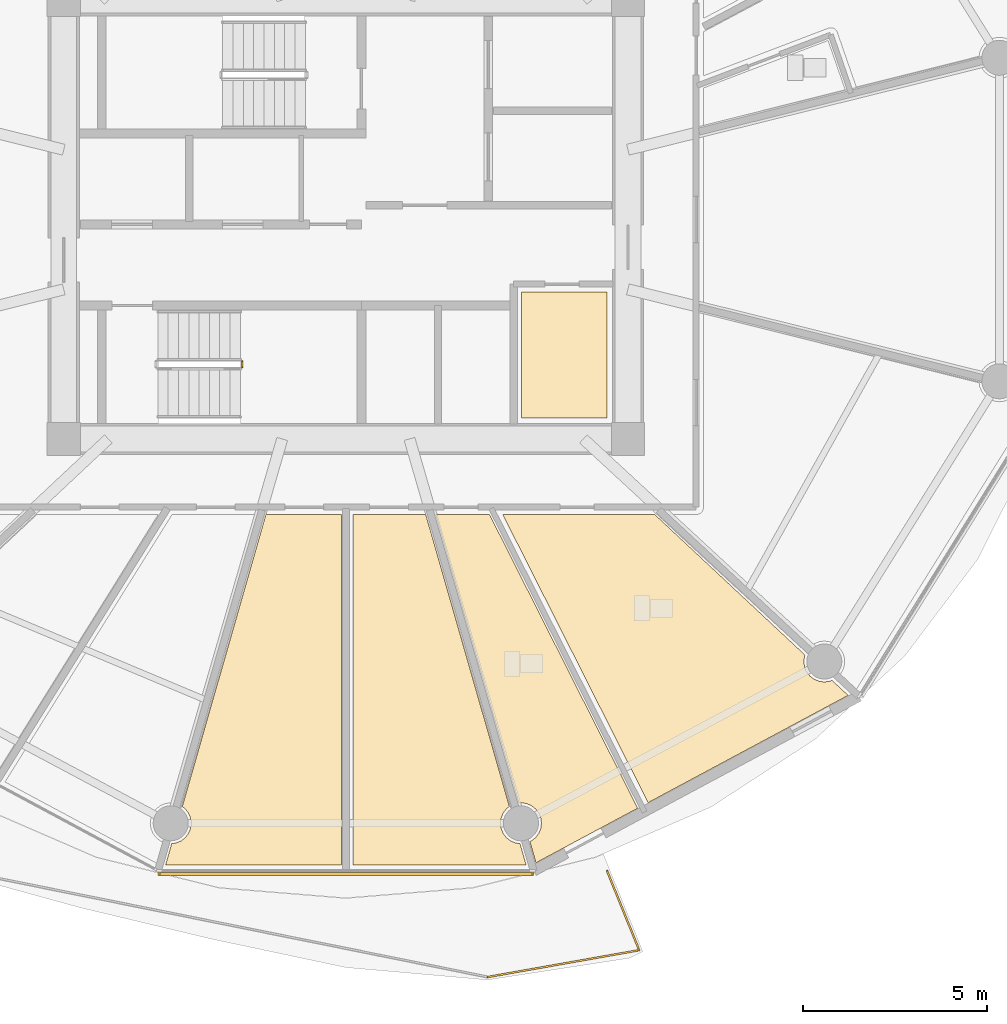
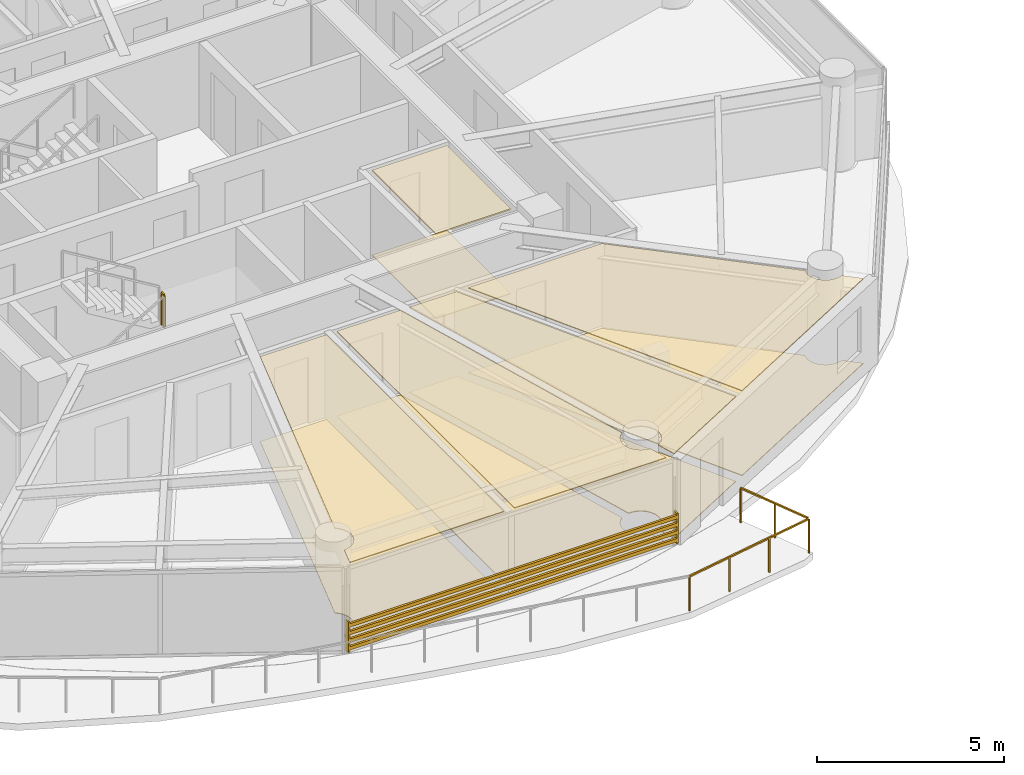
# One storey, part 23 of 31: 10 coverings, 2 railings, 1 shading device.
"""IFC4 building model written with IfcOpenShell, lengths in metres."""

from ifc_helpers import new_model, si_unit, direction, frame, origin, origin_2d, place, context, subcontext, project, spatial, polyline, rectangle, outline, extrude, source, transform, mapped, material, layer, layer_set, type_object, type_shapes, element, save


model = new_model("IFC4")

# Units and contexts
model_context = context("Model", 3, precision=1e-05, world=origin(), true_north=direction((0.0, 1.0)))
body_context = subcontext(model_context, "Body", "Model", "MODEL_VIEW")
ifc_project = project(units=[si_unit("LENGTHUNIT", "METRE"), si_unit("AREAUNIT", "SQUARE_METRE"), si_unit("VOLUMEUNIT", "CUBIC_METRE"), si_unit("PLANEANGLEUNIT", "RADIAN"), si_unit("MASSUNIT", "GRAM", prefix="KILO")], contexts=[model_context])

# Site, building, storey
site_placement = place(None, origin())
site = spatial("IfcSite", under=ifc_project, at=site_placement, CompositionType="ELEMENT")
building_placement = place(site_placement, origin())
building = spatial("IfcBuilding", under=site, at=building_placement, Name="Norrkilde Senior Care Towers", CompositionType="ELEMENT")
storey_placement = place(building_placement, frame((0.0, 0.0, 42.949951171875)))
storey = spatial("IfcBuildingStorey", under=building, at=storey_placement, Name="L12", CompositionType="ELEMENT", Elevation=42.949951171875)

# Covering
ifc_material_1 = material(Name="Nordic Ash Timber", Category="wood")
ifc_layer_1 = layer(ifc_material_1, 0.044921875)
ifc_layer_set_1 = layer_set([ifc_layer_1], Name="Nordic Ash Timber")
covering_type_1 = type_object("IfcCoveringType", Name="Acoustic Ash Timber Slatted Ceiling 45", PredefinedType="CEILING", material=ifc_layer_set_1)
covering_1_placement = place(storey_placement, frame((0.0, 0.0, 2.7451171875)))
element("IfcCovering", 1, at=covering_1_placement, inside=storey, type_object=covering_type_1, Name="L12 Suspended Ceiling 0161", PredefinedType="CEILING", context=body_context, shape_type="SweptSolid", body=[
    extrude(outline(polyline([(-20.919921875, -5.3798828125), (-23.22998046875, -5.3798828125), (-23.22998046875, -1.969970703125), (-20.919921875, -1.969970703125), (-20.919921875, -5.3798828125)])), origin(), (0.0, 0.0, 1.0), 0.044921875),
])

# Railing
ifc_material_2 = material(Name="Anodised Aluminium", Category="aluminium")
railing_type_1 = type_object("IfcRailingType", Name="Balcony Swirl Ribbon Guardrail 1150", PredefinedType="GUARDRAIL", material=ifc_material_2)
railing_1_placement = place(storey_placement, frame((-20.915283203125, -17.667236328125, 0.0)))
element("IfcRailing", 2, at=railing_1_placement, inside=storey, type_object=railing_type_1, Name="L12 Perimeter Safety Guard 04", PredefinedType="GUARDRAIL", context=body_context, shape_type="SweptSolid", body=[
    extrude(rectangle(XDim=0.048095703125, YDim=0.048095703125, at=origin_2d()), frame((0.0, 0.0, 1.1259765625), z_axis=(0.376054829039, -0.92659741288, 0.0), x_axis=(0.92659741288, 0.376054829039, 0.0)), (0.0, 0.0, 1.0), 2.276123046875),
    extrude(rectangle(XDim=0.048095703125, YDim=0.048095703125, at=origin_2d()), frame((0.8310546875, -2.154052734375, 1.1259765625), z_axis=(-0.984673848833, -0.174405881279, 0.0), x_axis=(0.174405881279, -0.984673848833, 0.0)), (0.0, 0.0, 1.0), 4.133544921875),
    extrude(rectangle(XDim=0.0419921875, YDim=0.0419921875, at=origin_2d()), origin(), (0.0, 0.0, 1.0), 1.099853515625),
    extrude(rectangle(XDim=0.0419921875, YDim=0.0419921875, at=origin_2d()), frame((0.435546875, -1.073486328125, 0.0)), (0.0, 0.0, 1.0), 1.099853515625),
    extrude(rectangle(XDim=0.0419921875, YDim=0.0419921875, at=origin_2d()), frame((0.871337890625, -2.14697265625, 0.0)), (0.0, 0.0, 1.0), 1.099853515625),
    extrude(rectangle(XDim=0.0419921875, YDim=0.0419921875, at=origin_2d()), frame((-0.498779296875, -2.3896484375, 0.0)), (0.0, 0.0, 1.0), 1.099853515625),
    extrude(rectangle(XDim=0.0419921875, YDim=0.0419921875, at=origin_2d()), frame((-1.868896484375, -2.63232421875, 0.0)), (0.0, 0.0, 1.0), 1.099853515625),
    extrude(rectangle(XDim=0.0419921875, YDim=0.0419921875, at=origin_2d()), frame((-3.239013671875, -2.875, 0.0)), (0.0, 0.0, 1.0), 1.099853515625),
])

# Coverings
ifc_material_3 = material(Name="Gypsum Acoustic Board")
ifc_layer_2 = layer(ifc_material_3, 0.030029296875)
ifc_layer_set_2 = layer_set([ifc_layer_2], Name="Gypsum Acoustic Board")
covering_type_2 = type_object("IfcCoveringType", Name="Medical Cleanable Gypsum Ceiling 30", PredefinedType="CEILING", material=ifc_layer_set_2)
covering_2_placement = place(storey_placement, frame((0.0, 0.0, 2.760009765625)))
element("IfcCovering", 3, at=covering_2_placement, inside=storey, type_object=covering_type_2, Name="L12 Suspended Ceiling 0174", PredefinedType="CEILING", context=body_context, shape_type="SweptSolid", body=[
    extrude(outline(polyline([(-32.7236328125, -16.924072265625), (-32.605712890625, -16.908447265625), (-32.471923828125, -16.85302734375), (-32.35693359375, -16.764892578125), (-32.268798828125, -16.64990234375), (-32.213134765625, -16.51611328125), (-32.1943359375, -16.37255859375), (-32.213134765625, -16.228759765625), (-32.268798828125, -16.094970703125), (-32.35693359375, -15.97998046875), (-32.435791015625, -15.91943359375), (-30.1669921875, -8.0), (-28.1201171875, -8.0), (-28.1201171875, -17.49853515625), (-32.88818359375, -17.49853515625), (-32.7236328125, -16.924072265625)])), origin(), (0.0, 0.0, 1.0), 0.030029296875),
])
covering_3_placement = place(storey_placement, frame((0.0, 0.0, 2.760009765625)))
element("IfcCovering", 4, at=covering_3_placement, inside=storey, type_object=covering_type_2, Name="L12 Suspended Ceiling 0175", PredefinedType="CEILING", context=body_context, shape_type="SweptSolid", body=[
    extrude(outline(polyline([(-27.800048828125, -17.49853515625), (-27.800048828125, -8.0), (-25.8330078125, -8.0), (-23.564208984375, -15.91943359375), (-23.64306640625, -15.97998046875), (-23.731201171875, -16.094970703125), (-23.786865234375, -16.228759765625), (-23.8056640625, -16.37255859375), (-23.786865234375, -16.51611328125), (-23.731201171875, -16.64990234375), (-23.64306640625, -16.764892578125), (-23.528076171875, -16.85302734375), (-23.394287109375, -16.908447265625), (-23.2763671875, -16.924072265625), (-23.11181640625, -17.49853515625), (-27.800048828125, -17.49853515625)])), origin(), (0.0, 0.0, 1.0), 0.030029296875),
])
covering_4_placement = place(storey_placement, frame((0.0, 0.0, 2.760009765625)))
element("IfcCovering", 5, at=covering_4_placement, inside=storey, type_object=covering_type_2, Name="L12 Suspended Ceiling 0176", PredefinedType="CEILING", context=body_context, shape_type="SweptSolid", body=[
    extrude(outline(polyline([(-23.008544921875, -16.86767578125), (-22.97314453125, -16.85302734375), (-22.858154296875, -16.764892578125), (-22.77001953125, -16.64990234375), (-22.714599609375, -16.51611328125), (-22.695556640625, -16.37255859375), (-22.714599609375, -16.228759765625), (-22.77001953125, -16.094970703125), (-22.858154296875, -15.97998046875), (-22.97314453125, -15.891845703125), (-23.10693359375, -15.83642578125), (-23.250732421875, -15.8173828125), (-23.309326171875, -15.8251953125), (-25.567626953125, -8.0), (-24.102783203125, -8.0), (-20.084716796875, -15.9638671875), (-22.8427734375, -17.442626953125), (-23.008544921875, -16.86767578125)])), origin(), (0.0, 0.0, 1.0), 0.030029296875),
])
covering_5_placement = place(storey_placement, frame((0.0, 0.0, 2.760009765625)))
element("IfcCovering", 6, at=covering_5_placement, inside=storey, type_object=covering_type_2, Name="L12 Suspended Ceiling 0177", PredefinedType="CEILING", context=body_context, shape_type="SweptSolid", body=[
    extrude(outline(polyline([(-19.802490234375, -15.8125), (-23.744384765625, -8.0), (-19.622314453125, -8.0), (-15.5478515625, -11.810791015625), (-15.560791015625, -11.841796875), (-15.57958984375, -11.9853515625), (-15.560791015625, -12.129150390625), (-15.505126953125, -12.262939453125), (-15.4169921875, -12.3779296875), (-15.302001953125, -12.466064453125), (-15.168212890625, -12.521484375), (-15.024658203125, -12.54052734375), (-14.880859375, -12.521484375), (-14.816650390625, -12.494873046875), (-14.37890625, -12.904296875), (-19.802490234375, -15.8125)])), origin(), (0.0, 0.0, 1.0), 0.030029296875),
])
ifc_material_4 = material(Name="Slip-Resistant Porcelain Stone", Category="masonry")
ifc_layer_3 = layer(ifc_material_4, 0.02490234375)
ifc_layer_set_3 = layer_set([ifc_layer_3], Name="Slip-Resistant Porcelain Stone")
covering_type_3 = type_object("IfcCoveringType", Name="Slip-Resistant Porcelain Flooring 25", PredefinedType="FLOORING", material=ifc_layer_set_3)
covering_6_placement = place(storey_placement, origin())
element("IfcCovering", 7, at=covering_6_placement, inside=storey, type_object=covering_type_3, Name="L12 Floor Finish 0161", PredefinedType="FLOORING", context=body_context, shape_type="SweptSolid", body=[
    extrude(outline(polyline([(-20.919921875, -5.3798828125), (-23.22998046875, -5.3798828125), (-23.22998046875, -1.969970703125), (-20.919921875, -1.969970703125), (-20.919921875, -5.3798828125)])), origin(), (0.0, 0.0, 1.0), 0.025146484375),
])
covering_7_placement = place(storey_placement, origin())
element("IfcCovering", 8, at=covering_7_placement, inside=storey, type_object=covering_type_3, Name="L12 Floor Finish 0174", PredefinedType="FLOORING", context=body_context, shape_type="SweptSolid", body=[
    extrude(outline(polyline([(-32.7236328125, -16.924072265625), (-32.605712890625, -16.908447265625), (-32.471923828125, -16.85302734375), (-32.35693359375, -16.764892578125), (-32.268798828125, -16.64990234375), (-32.213134765625, -16.51611328125), (-32.1943359375, -16.37255859375), (-32.213134765625, -16.228759765625), (-32.268798828125, -16.094970703125), (-32.35693359375, -15.97998046875), (-32.435791015625, -15.91943359375), (-30.1669921875, -8.0), (-28.1201171875, -8.0), (-28.1201171875, -17.49853515625), (-32.88818359375, -17.49853515625), (-32.7236328125, -16.924072265625)])), origin(), (0.0, 0.0, 1.0), 0.025146484375),
])
covering_8_placement = place(storey_placement, origin())
element("IfcCovering", 9, at=covering_8_placement, inside=storey, type_object=covering_type_3, Name="L12 Floor Finish 0175", PredefinedType="FLOORING", context=body_context, shape_type="SweptSolid", body=[
    extrude(outline(polyline([(-27.800048828125, -17.49853515625), (-27.800048828125, -8.0), (-25.8330078125, -8.0), (-23.564208984375, -15.91943359375), (-23.64306640625, -15.97998046875), (-23.731201171875, -16.094970703125), (-23.786865234375, -16.228759765625), (-23.8056640625, -16.37255859375), (-23.786865234375, -16.51611328125), (-23.731201171875, -16.64990234375), (-23.64306640625, -16.764892578125), (-23.528076171875, -16.85302734375), (-23.394287109375, -16.908447265625), (-23.2763671875, -16.924072265625), (-23.11181640625, -17.49853515625), (-27.800048828125, -17.49853515625)])), origin(), (0.0, 0.0, 1.0), 0.025146484375),
])
covering_9_placement = place(storey_placement, origin())
element("IfcCovering", 10, at=covering_9_placement, inside=storey, type_object=covering_type_3, Name="L12 Floor Finish 0176", PredefinedType="FLOORING", context=body_context, shape_type="SweptSolid", body=[
    extrude(outline(polyline([(-23.008544921875, -16.86767578125), (-22.97314453125, -16.85302734375), (-22.858154296875, -16.764892578125), (-22.77001953125, -16.64990234375), (-22.714599609375, -16.51611328125), (-22.695556640625, -16.37255859375), (-22.714599609375, -16.228759765625), (-22.77001953125, -16.094970703125), (-22.858154296875, -15.97998046875), (-22.97314453125, -15.891845703125), (-23.10693359375, -15.83642578125), (-23.250732421875, -15.8173828125), (-23.309326171875, -15.8251953125), (-25.567626953125, -8.0), (-24.102783203125, -8.0), (-20.084716796875, -15.9638671875), (-22.8427734375, -17.442626953125), (-23.008544921875, -16.86767578125)])), origin(), (0.0, 0.0, 1.0), 0.025146484375),
])
covering_10_placement = place(storey_placement, origin())
element("IfcCovering", 11, at=covering_10_placement, inside=storey, type_object=covering_type_3, Name="L12 Floor Finish 0177", PredefinedType="FLOORING", context=body_context, shape_type="SweptSolid", body=[
    extrude(outline(polyline([(-19.802490234375, -15.8125), (-23.744384765625, -8.0), (-19.622314453125, -8.0), (-15.5478515625, -11.810791015625), (-15.560791015625, -11.841796875), (-15.57958984375, -11.9853515625), (-15.560791015625, -12.129150390625), (-15.505126953125, -12.262939453125), (-15.4169921875, -12.3779296875), (-15.302001953125, -12.466064453125), (-15.168212890625, -12.521484375), (-15.024658203125, -12.54052734375), (-14.880859375, -12.521484375), (-14.816650390625, -12.494873046875), (-14.37890625, -12.904296875), (-19.802490234375, -15.8125)])), origin(), (0.0, 0.0, 1.0), 0.025146484375),
])

# Railing
ifc_material_5 = material(Name="Stainless Steel", Category="steel")
railing_type_2 = type_object("IfcRailingType", Name="Stair and Terrace Guardrail 1100", PredefinedType="GUARDRAIL", material=ifc_material_5)
railing_2_placement = place(storey_placement, frame((-30.81005859375, -4.0, 1.525146484375)))
element("IfcRailing", 12, at=railing_2_placement, inside=storey, type_object=railing_type_2, Name="L12 ST-W2 stair guard 2", PredefinedType="GUARDRAIL", context=body_context, shape_type="SweptSolid", body=[
    extrude(rectangle(XDim=0.048095703125, YDim=0.048095703125, at=origin_2d()), frame((0.0, 0.0, 1.076171875), z_axis=(0.0, 1.0, 0.0), x_axis=(-1.0, 0.0, 0.0)), (0.0, 0.0, 1.0), 0.14990234375),
    extrude(rectangle(XDim=0.0419921875, YDim=0.0419921875, at=origin_2d()), origin(), (0.0, 0.0, 1.0), 1.050048828125),
    extrude(rectangle(XDim=0.0419921875, YDim=0.0419921875, at=origin_2d()), frame((0.0, 0.14990234375, 0.0)), (0.0, 0.0, 1.0), 1.050048828125),
])

# Shading device
ifc_material_6 = material(Name="Architectural Terracotta", Category="masonry")
shading_device_type = type_object("IfcShadingDeviceType", Name="Horizontal Terracotta Baguette Rack", PredefinedType="USERDEFINED", material=ifc_material_6)
shared_shape = source(origin(), body_context, "Body", "SweptSolid", [
    extrude(rectangle(XDim=0.070068359375, YDim=0.110107421875, at=origin_2d()), frame((0.0, 0.090087890625, 0.125), z_axis=(1.0, 0.0, 0.0), x_axis=(0.0, 1.0, 0.0)), (0.0, 0.0, 1.0), 10.18701171875),
    extrude(rectangle(XDim=0.070068359375, YDim=0.110107421875, at=origin_2d()), frame((0.0, 0.090087890625, 0.375), z_axis=(1.0, 0.0, 0.0), x_axis=(0.0, 1.0, 0.0)), (0.0, 0.0, 1.0), 10.18701171875),
    extrude(rectangle(XDim=0.070068359375, YDim=0.110107421875, at=origin_2d()), frame((0.0, 0.090087890625, 0.625), z_axis=(1.0, 0.0, 0.0), x_axis=(0.0, 1.0, 0.0)), (0.0, 0.0, 1.0), 10.18701171875),
    extrude(rectangle(XDim=0.070068359375, YDim=0.110107421875, at=origin_2d()), frame((0.0, 0.090087890625, 0.875), z_axis=(1.0, 0.0, 0.0), x_axis=(0.0, 1.0, 0.0)), (0.0, 0.0, 1.0), 10.18701171875),
    extrude(rectangle(XDim=0.050048828125, YDim=0.1552734375, at=origin_2d()), frame((0.02490234375, 0.047607421875, 0.0)), (0.0, 0.0, 1.0), 1.0),
    extrude(rectangle(XDim=0.050048828125, YDim=0.1552734375, at=origin_2d()), frame((10.162109375, 0.047607421875, 0.0)), (0.0, 0.0, 1.0), 1.0),
])
type_shapes(shading_device_type, [shared_shape])
shading_device_placement = place(storey_placement, frame((-22.906494140625, -17.6572265625, 0.080078125), z_axis=(0.0, 0.0, 1.0), x_axis=(-1.0, 0.0, 0.0)))
element("IfcShadingDevice", 13, at=shading_device_placement, inside=storey, type_object=shading_device_type, Name="L12 Drum W Terracotta Baguette Screen 08", ObjectType="BAGUETTE", PredefinedType="USERDEFINED", context=body_context, shape_type="MappedRepresentation", body=[
    mapped(shared_shape, transform((0.0, 0.0, 0.0), x_axis=(1.0, 0.0, 0.0), y_axis=(0.0, 1.0, 0.0), z_axis=(0.0, 0.0, 1.0), scale=1.0)),
])

save(model, "model.ifc")
